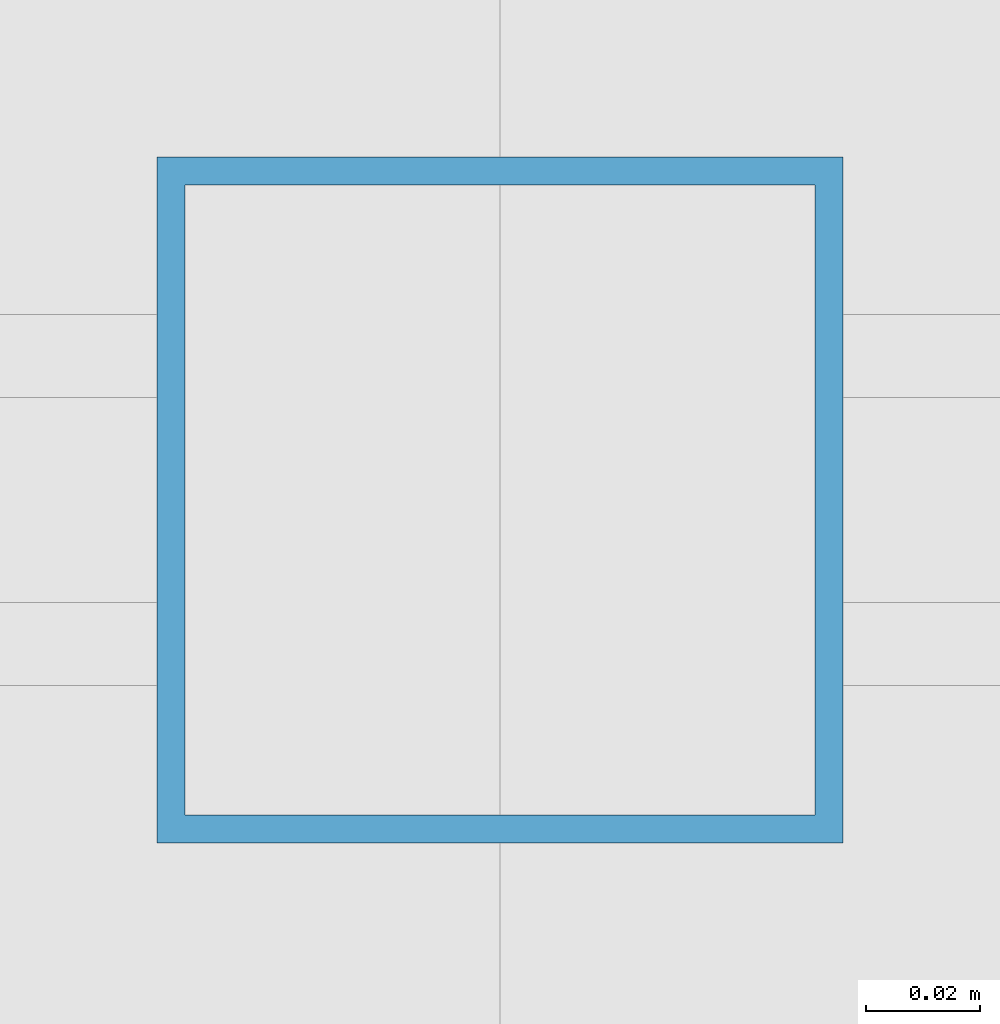
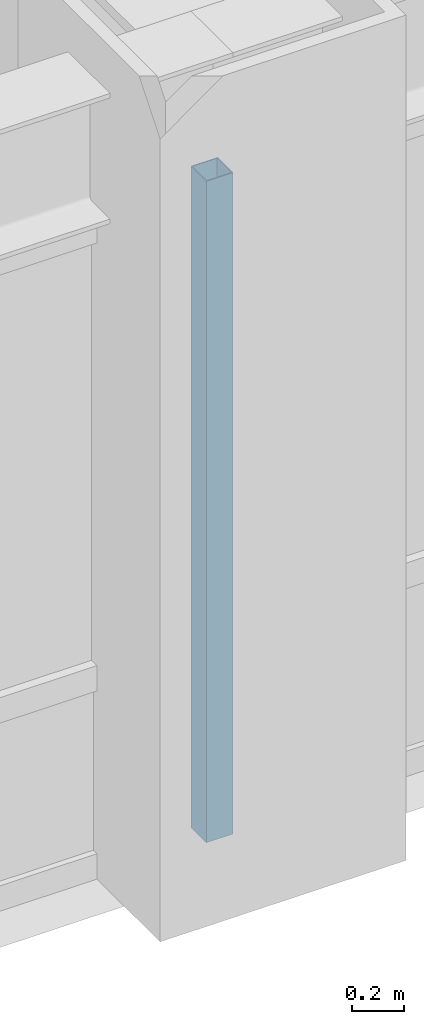
# One storey, part 4 of 26: 1 member, 1 element without a shape of its own.
"""IFC4 building model written with IfcOpenShell, lengths in metres."""

from ifc_helpers import new_model, si_unit, direction, frame, origin, origin_2d, place, context, subcontext, project, spatial, hollow_rectangle, extrude, source, transform, mapped, material, material_profile, profile_set, type_object, element, aggregate, save


model = new_model("IFC4")

# Units and contexts
model_context = context("Model", 3, precision=1e-05, world=origin(), true_north=direction((0.0, 1.0)))
body_context = subcontext(model_context, "Body", "Model", "MODEL_VIEW")
ifc_project = project(units=[si_unit("LENGTHUNIT", "METRE"), si_unit("AREAUNIT", "SQUARE_METRE"), si_unit("VOLUMEUNIT", "CUBIC_METRE"), si_unit("PLANEANGLEUNIT", "RADIAN"), si_unit("MASSUNIT", "GRAM", prefix="KILO")], contexts=[model_context])

# Site, building, storey
site_placement = place(None, origin())
site = spatial("IfcSite", under=ifc_project, at=site_placement, CompositionType="ELEMENT")
building_placement = place(site_placement, origin())
building = spatial("IfcBuilding", under=site, at=building_placement, Name="Khorayat Bourse Tower", CompositionType="ELEMENT")
storey_placement = place(building_placement, frame((0.0, 0.0, 207.10009765625)))
storey = spatial("IfcBuildingStorey", under=building, at=storey_placement, Name="L48", CompositionType="ELEMENT", Elevation=207.10009765625)

# Curtain wall, member
ifc_material = material(Name="Aluminium EN AW-6063 T6", Category="aluminium")
curtain_wall_type = type_object("IfcCurtainWallType", Name="CW-SYS-03", PredefinedType="NOTDEFINED", material=ifc_material)
curtain_wall_placement = place(storey_placement, origin())
curtain_wall = element("IfcCurtainWall", 1, at=curtain_wall_placement, inside=storey, type_object=curtain_wall_type, Name="L48 Curtain Wall CW-L48-S1", PredefinedType="NOTDEFINED")
ifc_material_profile = material_profile(ifc_material, hollow_rectangle(XDim=0.1201171875, YDim=0.1201171875, WallThickness=0.0048828125, at=origin_2d()), Name="ALU 120x120x5")
ifc_profile_set = profile_set([ifc_material_profile], Name="Aluminium EN AW-6063 T6")
member_type = type_object("IfcMemberType", Name="CWM-VERT-120", PredefinedType="MULLION", material=ifc_profile_set)
shared_shape = source(origin(), body_context, "Body", "SweptSolid", [
    extrude(hollow_rectangle(XDim=0.1201171875, YDim=0.1201171875, WallThickness=0.0048828125, at=origin_2d()), origin(), (0.0, 0.0, 1.0), 3.1298828125),
])
member_placement = place(storey_placement, frame((0.0, -30.0, 0.0), z_axis=(0.0, 0.0, 1.0), x_axis=(0.0, 1.0, 0.0)))
member = element("IfcMember", 2, at=member_placement, type_object=member_type, Name="CW-L48-S1 Vertical Mullion 2", PredefinedType="MULLION", context=body_context, shape_type="MappedRepresentation", body=[
    mapped(shared_shape, transform((0.0, 0.0, 0.0), scale=1.0)),
])
aggregate(curtain_wall, [member])

save(model, "model.ifc")
